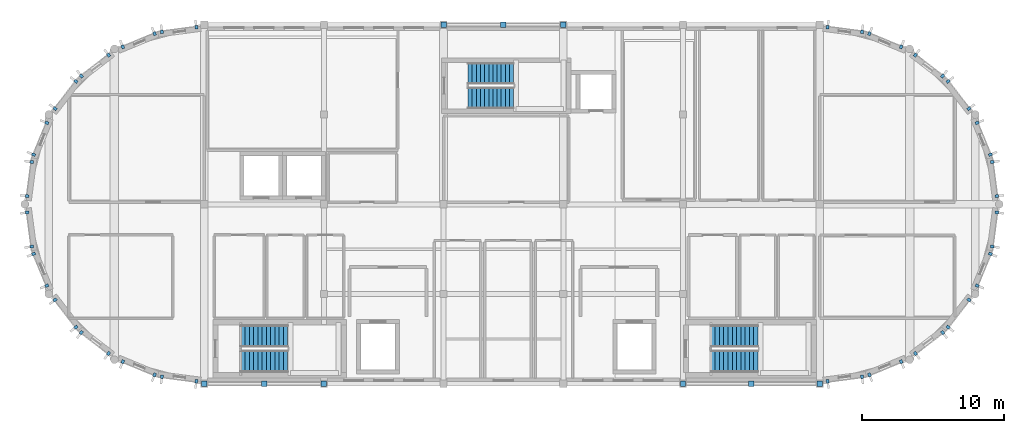
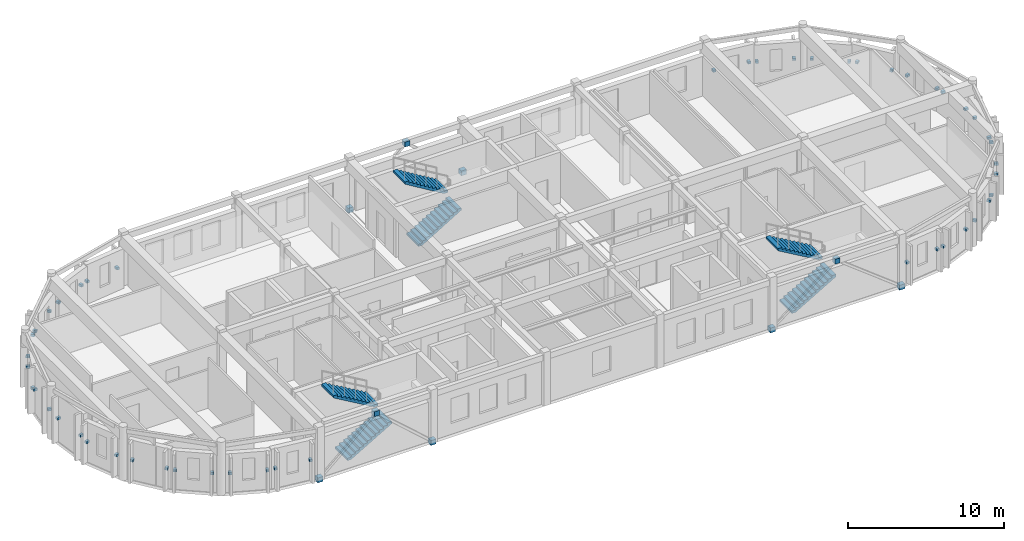
# One storey, part 7 of 11: 57 discrete accessories, 6 stair flights, 3 elements without a shape of their own.
"""IFC4 building model written with IfcOpenShell, lengths in metres."""

import ifcopenshell
import ifcopenshell.guid

model = None  # the IFC model being written
_history = None  # IfcOwnerHistory: only IFC2X3 demands one
_inside = {}  # id of a spatial element -> (the spatial element, [elements in it])
_under = {}  # id of a project, library or spatial element -> (it, [spatial elements below it])
_declared = {}  # id of a project -> (the project, [libraries it declares])
_typed = {}  # id of a type object -> (the type object, [elements of that type])
_made_of = {}  # id of a material, layer set ... -> (it, [elements and type objects made of it])


def new_model(schema):
    """Start an empty IFC model of exactly this schema.

    Asked for "IFC4X3", IfcOpenShell would pick the latest addendum, in which some entities
    have other attributes; the version numbers below select the first issue.
    IFC2X3 requires an IfcOwnerHistory on every rooted entity: one is made here for all.
    """
    global model, _history
    if schema == "IFC4X3":
        model = ifcopenshell.file(schema_version=(4, 3, 0, 0))
    else:
        model = ifcopenshell.file(schema=schema)
    _inside.clear()
    _under.clear()
    _declared.clear()
    _typed.clear()
    _made_of.clear()
    _history = None
    if model.schema == "IFC2X3":
        org = make("IfcOrganization", Name="unknown")
        user = make(
            "IfcPersonAndOrganization",
            ThePerson=make("IfcPerson", FamilyName="unknown"),
            TheOrganization=org,
        )
        app = make(
            "IfcApplication",
            ApplicationDeveloper=org,
            Version="unknown",
            ApplicationFullName="unknown",
            ApplicationIdentifier="unknown",
        )
        _history = make(
            "IfcOwnerHistory",
            OwningUser=user,
            OwningApplication=app,
            ChangeAction="ADDED",
            CreationDate=0,
        )
    return model


def make(cls, **values):
    """One entity of the class cls with the attributes given. An attribute that is None is left unset."""
    return model.create_entity(
        cls, **{name: value for name, value in values.items() if value is not None}
    )


def rooted(cls, **values):
    """An entity with a GlobalId (a new one), such as an element, a storey or a relation."""
    return make(cls, GlobalId=ifcopenshell.guid.new(), OwnerHistory=_history, **values)


def si_unit(unit_type, name, prefix=None):
    """IfcSIUnit, for example si_unit("LENGTHUNIT", "METRE", prefix="MILLI")."""
    return make("IfcSIUnit", UnitType=unit_type, Prefix=prefix, Name=name)


def assignment(units):
    """IfcUnitAssignment: the units of a project."""
    return None if units is None else make("IfcUnitAssignment", Units=units)


def point(xyz):
    """IfcCartesianPoint."""
    return None if xyz is None else make("IfcCartesianPoint", Coordinates=xyz)


def direction(xyz):
    """IfcDirection."""
    return None if xyz is None else make("IfcDirection", DirectionRatios=xyz)


def frame(location, z_axis=None, x_axis=None):
    """IfcAxis2Placement3D, a coordinate frame: its origin and axes. An axis left out is left unset."""
    return make(
        "IfcAxis2Placement3D",
        Location=point(location),
        Axis=direction(z_axis),
        RefDirection=direction(x_axis),
    )


def frame_2d(location, x_axis=None):
    """IfcAxis2Placement2D, a coordinate frame in the plane: its origin and x axis."""
    return make(
        "IfcAxis2Placement2D", Location=point(location), RefDirection=direction(x_axis)
    )


def origin():
    """The frame at (0, 0, 0) with its axes left unset."""
    return frame((0.0, 0.0, 0.0))


def origin_2d():
    """The frame at (0, 0) in the plane with its x axis left unset."""
    return frame_2d((0.0, 0.0))


def place(relative_to, where):
    """IfcLocalPlacement: puts the frame where relative to a parent placement (None: the world)."""
    return make(
        "IfcLocalPlacement", PlacementRelTo=relative_to, RelativePlacement=where
    )


def context(
    kind, dimensions, precision=None, world=None, true_north=None, identifier=None
):
    """IfcGeometricRepresentationContext, for example the 3D "Model" context."""
    return make(
        "IfcGeometricRepresentationContext",
        ContextIdentifier=identifier,
        ContextType=kind,
        CoordinateSpaceDimension=dimensions,
        Precision=precision,
        WorldCoordinateSystem=world,
        TrueNorth=true_north,
    )


def subcontext(parent, identifier, kind, view, scale=None):
    """IfcGeometricRepresentationSubContext, for example "Body" below "Model"."""
    return make(
        "IfcGeometricRepresentationSubContext",
        ContextIdentifier=identifier,
        ContextType=kind,
        ParentContext=parent,
        TargetScale=scale,
        TargetView=view,
    )


def project(units=None, contexts=None):
    """IfcProject with its units and contexts."""
    return rooted(
        "IfcProject",
        Name="project",
        RepresentationContexts=contexts,
        UnitsInContext=assignment(units),
    )


def spatial(cls, under=None, at=None, **own):
    """A site, building, storey or space (cls), placed at a placement, below another one or the project."""
    s = rooted(cls, ObjectPlacement=at, **own)
    if under is not None:
        _under.setdefault(under.id(), (under, []))[1].append(s)
    return s


def polyline(points):
    """IfcPolyline through the points."""
    return make("IfcPolyline", Points=[point(p) for p in points])


def profile(cls, at=None, kind="AREA", **sizes):
    """A parametric profile (cls). Its sizes go by their IFC names, for example OverallWidth=200.0."""
    return make(cls, ProfileType=kind, Position=at, **sizes)


def rectangle(**sizes):
    """IfcRectangleProfileDef."""
    return profile("IfcRectangleProfileDef", **sizes)


def outline(outer, holes=None, kind="AREA"):
    """IfcArbitraryClosedProfileDef: a profile drawn as a closed curve; with holes, ...WithVoids."""
    if holes is None:
        return make("IfcArbitraryClosedProfileDef", ProfileType=kind, OuterCurve=outer)
    return make(
        "IfcArbitraryProfileDefWithVoids",
        ProfileType=kind,
        OuterCurve=outer,
        InnerCurves=holes,
    )


def extrude(swept, where, along, depth):
    """IfcExtrudedAreaSolid: the profile swept, set in the frame where, extruded along a direction by depth."""
    return make(
        "IfcExtrudedAreaSolid",
        SweptArea=swept,
        Position=where,
        ExtrudedDirection=direction(along),
        Depth=depth,
    )


def shape(context_of_items, identifier, shape_type, items):
    """IfcShapeRepresentation: the items that make up one representation, for example the "Body"."""
    return make(
        "IfcShapeRepresentation",
        ContextOfItems=context_of_items,
        RepresentationIdentifier=identifier,
        RepresentationType=shape_type,
        Items=items,
    )


def material(Name=None, Category=None):
    """IfcMaterial."""
    return make("IfcMaterial", Name=Name, Category=Category)


def made_of(thing, what):
    """Note that an element or type object is made of a material, layer set ...; save() writes the relation."""
    if what is not None:
        _made_of.setdefault(what.id(), (what, []))[1].append(thing)
    return thing


def type_object(cls, material=None, **own):
    """A type object (cls), such as IfcWallType, which elements share."""
    return made_of(rooted(cls, **own), material)


def element(
    cls,
    number,
    at=None,
    inside=None,
    cuts=None,
    type_object=None,
    material=None,
    context=None,
    identifier="Body",
    shape_type=None,
    held_by="IfcProductDefinitionShape",
    body=None,
    shapes=None,
    **own,
):
    """One element of the class cls, such as IfcWall. Its Tag is "e" and its number.

    at: its placement. inside: the storey or other place that contains it. cuts: it is an
    opening in that element (IfcRelVoidsElement). A single representation is given by context,
    identifier, shape_type and body (its items); several are given by shapes. held_by: the class
    of the entity that holds the representations. save() writes the other relations.
    """
    e = rooted(cls, Tag="e%d" % number, ObjectPlacement=at, **own)
    if body is not None:
        shapes = [shape(context, identifier, shape_type, body)]
    if shapes is not None:
        e.Representation = make(held_by, Representations=shapes)
    if inside is not None:
        _inside.setdefault(inside.id(), (inside, []))[1].append(e)
    if cuts is not None:
        rooted(
            "IfcRelVoidsElement", RelatingBuildingElement=cuts, RelatedOpeningElement=e
        )
    if type_object is not None:
        _typed.setdefault(type_object.id(), (type_object, []))[1].append(e)
    return made_of(e, material)


def aggregate(whole, parts):
    """IfcRelAggregates: a whole, such as a stair, and the parts it consists of."""
    return rooted("IfcRelAggregates", RelatingObject=whole, RelatedObjects=parts)


def save(model, path):
    """Write the relations noted so far, then the file.

    IfcRelAggregates (storeys below a building ...), IfcRelContainedInSpatialStructure (elements
    in a storey), IfcRelDefinesByType, IfcRelAssociatesMaterial and IfcRelDeclares: one each for
    every whole, place, type object, material and project.
    """
    for whole, parts in _under.values():
        aggregate(whole, parts)
    for where, things in _inside.values():
        rooted(
            "IfcRelContainedInSpatialStructure",
            RelatedElements=things,
            RelatingStructure=where,
        )
    for kind, things in _typed.values():
        rooted("IfcRelDefinesByType", RelatedObjects=things, RelatingType=kind)
    for what, things in _made_of.values():
        rooted("IfcRelAssociatesMaterial", RelatedObjects=things, RelatingMaterial=what)
    for by, libraries in _declared.values():
        rooted("IfcRelDeclares", RelatingContext=by, RelatedDefinitions=libraries)
    model.write(path)


model = new_model("IFC4")

# Units and contexts
model_context = context("Model", 3, precision=1e-05, world=origin(), true_north=direction((0.0, 1.0)))
body_context = subcontext(model_context, "Body", "Model", "MODEL_VIEW")
ifc_project = project(units=[si_unit("LENGTHUNIT", "METRE"), si_unit("AREAUNIT", "SQUARE_METRE"), si_unit("VOLUMEUNIT", "CUBIC_METRE"), si_unit("PLANEANGLEUNIT", "RADIAN"), si_unit("MASSUNIT", "GRAM", prefix="KILO")], contexts=[model_context])

# Site, building, storey
site_placement = place(None, origin())
site = spatial("IfcSite", under=ifc_project, at=site_placement, CompositionType="ELEMENT")
building_placement = place(site_placement, origin())
building = spatial("IfcBuilding", under=site, at=building_placement, Name="Tarnavel Promenade Courthouse", CompositionType="ELEMENT")
storey_placement = place(building_placement, frame((0.0, 0.0, 31.199951171875)))
storey = spatial("IfcBuildingStorey", under=building, at=storey_placement, Name="L08", CompositionType="ELEMENT", Elevation=31.199951171875)

# Stair, stair flights
ifc_material_1 = material(Name="Concrete C35/45", Category="concrete")
stair_type_1 = type_object("IfcStairType", Name="Concrete C35/45 Half-Turn Stair STR-03 (1560W-300G-24R)", PredefinedType="HALF_TURN_STAIR", material=ifc_material_1)
stair_1_placement = place(storey_placement, origin())
stair_1 = element("IfcStair", 1, at=stair_1_placement, inside=storey, type_object=stair_type_1, Name="L08 West Bar Firefighting Exit Stair", PredefinedType="HALF_TURN_STAIR")
stair_flight_type_1 = type_object("IfcStairFlightType", Name="Concrete C35/45 Stair Flight STF-03 (1560W-300G-24R)", PredefinedType="STRAIGHT", material=ifc_material_1)
stair_flight_1_placement = place(storey_placement, frame((61.360107421875, 80.780029296875, 0.0), z_axis=(0.0, 0.0, 1.0), x_axis=(1.0, 0.0, 0.0)))
stair_flight_1 = element("IfcStairFlight", 2, at=stair_flight_1_placement, type_object=stair_flight_type_1, Name="ST-01 flight 1", NumberOfRisers=12, NumberOfTreads=11, PredefinedType="STRAIGHT", RiserHeight=0.175, TreadLength=0.3, context=body_context, shape_type="SweptSolid", body=[
    extrude(outline(polyline([(0.0, 0.0), (0.0, 0.175048828125), (0.300048828125, 0.175048828125), (0.300048828125, 0.35009765625), (0.60009765625, 0.35009765625), (0.60009765625, 0.52490234375), (0.89990234375, 0.52490234375), (0.89990234375, 0.699951171875), (1.199951171875, 0.699951171875), (1.199951171875, 0.875), (1.5, 0.875), (1.5, 1.050048828125), (1.800048828125, 1.050048828125), (1.800048828125, 1.22509765625), (2.10009765625, 1.22509765625), (2.10009765625, 1.39990234375), (2.39990234375, 1.39990234375), (2.39990234375, 1.574951171875), (2.699951171875, 1.574951171875), (2.699951171875, 1.75), (3.0, 1.75), (3.0, 1.925048828125), (3.300048828125, 1.925048828125), (3.300048828125, 2.10009765625), (3.300048828125, 1.75146484375), (0.297607421875, 0.0), (0.0, 0.0)])), frame((0.0, 0.780029296875, 0.0), z_axis=(0.0, -1.0, 0.0), x_axis=(1.0, 0.0, 0.0)), (0.0, 0.0, 1.0), 1.56005859375),
])
stair_flight_2_placement = place(storey_placement, frame((64.659912109375, 82.5400390625, 2.10009765625), z_axis=(0.0, 0.0, 1.0), x_axis=(-1.0, 0.0, 0.0)))
stair_flight_2 = element("IfcStairFlight", 3, at=stair_flight_2_placement, type_object=stair_flight_type_1, Name="ST-01 flight 2", NumberOfRisers=12, NumberOfTreads=11, PredefinedType="STRAIGHT", RiserHeight=0.175, TreadLength=0.3, context=body_context, shape_type="SweptSolid", body=[
    extrude(outline(polyline([(0.0, 0.0), (0.0, 0.175048828125), (0.300048828125, 0.175048828125), (0.300048828125, 0.35009765625), (0.60009765625, 0.35009765625), (0.60009765625, 0.52490234375), (0.89990234375, 0.52490234375), (0.89990234375, 0.699951171875), (1.199951171875, 0.699951171875), (1.199951171875, 0.875), (1.5, 0.875), (1.5, 1.050048828125), (1.800048828125, 1.050048828125), (1.800048828125, 1.22509765625), (2.10009765625, 1.22509765625), (2.10009765625, 1.39990234375), (2.39990234375, 1.39990234375), (2.39990234375, 1.574951171875), (2.699951171875, 1.574951171875), (2.699951171875, 1.75), (3.0, 1.75), (3.0, 1.925048828125), (3.300048828125, 1.925048828125), (3.300048828125, 2.10009765625), (3.300048828125, 1.75146484375), (0.297607421875, 0.0), (0.0, 0.0)])), frame((0.0, 0.780029296875, 0.0), z_axis=(0.0, -1.0, 0.0), x_axis=(1.0, 0.0, 0.0)), (0.0, 0.0, 1.0), 1.56005859375),
])
aggregate(stair_1, [stair_flight_1, stair_flight_2])

stair_2_placement = place(storey_placement, origin())
stair_2 = element("IfcStair", 4, at=stair_2_placement, inside=storey, type_object=stair_type_1, Name="L08 East Bar Firefighting Exit Stair", PredefinedType="HALF_TURN_STAIR")
stair_flight_3_placement = place(storey_placement, frame((94.360107421875, 80.780029296875, 0.0), z_axis=(0.0, 0.0, 1.0), x_axis=(1.0, 0.0, 0.0)))
stair_flight_3 = element("IfcStairFlight", 5, at=stair_flight_3_placement, type_object=stair_flight_type_1, Name="ST-02 flight 1", NumberOfRisers=12, NumberOfTreads=11, PredefinedType="STRAIGHT", RiserHeight=0.175, TreadLength=0.3, context=body_context, shape_type="SweptSolid", body=[
    extrude(outline(polyline([(0.0, 0.0), (0.0, 0.175048828125), (0.300048828125, 0.175048828125), (0.300048828125, 0.35009765625), (0.60009765625, 0.35009765625), (0.60009765625, 0.52490234375), (0.89990234375, 0.52490234375), (0.89990234375, 0.699951171875), (1.199951171875, 0.699951171875), (1.199951171875, 0.875), (1.5, 0.875), (1.5, 1.050048828125), (1.800048828125, 1.050048828125), (1.800048828125, 1.22509765625), (2.10009765625, 1.22509765625), (2.10009765625, 1.39990234375), (2.39990234375, 1.39990234375), (2.39990234375, 1.574951171875), (2.699951171875, 1.574951171875), (2.699951171875, 1.75), (3.0, 1.75), (3.0, 1.925048828125), (3.300048828125, 1.925048828125), (3.300048828125, 2.10009765625), (3.300048828125, 1.75146484375), (0.297607421875, 0.0), (0.0, 0.0)])), frame((0.0, 0.780029296875, 0.0), z_axis=(0.0, -1.0, 0.0), x_axis=(1.0, 0.0, 0.0)), (0.0, 0.0, 1.0), 1.56005859375),
])
stair_flight_4_placement = place(storey_placement, frame((97.659912109375, 82.5400390625, 2.10009765625), z_axis=(0.0, 0.0, 1.0), x_axis=(-1.0, 0.0, 0.0)))
stair_flight_4 = element("IfcStairFlight", 6, at=stair_flight_4_placement, type_object=stair_flight_type_1, Name="ST-02 flight 2", NumberOfRisers=12, NumberOfTreads=11, PredefinedType="STRAIGHT", RiserHeight=0.175, TreadLength=0.3, context=body_context, shape_type="SweptSolid", body=[
    extrude(outline(polyline([(0.0, 0.0), (0.0, 0.175048828125), (0.300048828125, 0.175048828125), (0.300048828125, 0.35009765625), (0.60009765625, 0.35009765625), (0.60009765625, 0.52490234375), (0.89990234375, 0.52490234375), (0.89990234375, 0.699951171875), (1.199951171875, 0.699951171875), (1.199951171875, 0.875), (1.5, 0.875), (1.5, 1.050048828125), (1.800048828125, 1.050048828125), (1.800048828125, 1.22509765625), (2.10009765625, 1.22509765625), (2.10009765625, 1.39990234375), (2.39990234375, 1.39990234375), (2.39990234375, 1.574951171875), (2.699951171875, 1.574951171875), (2.699951171875, 1.75), (3.0, 1.75), (3.0, 1.925048828125), (3.300048828125, 1.925048828125), (3.300048828125, 2.10009765625), (3.300048828125, 1.75146484375), (0.297607421875, 0.0), (0.0, 0.0)])), frame((0.0, 0.780029296875, 0.0), z_axis=(0.0, -1.0, 0.0), x_axis=(1.0, 0.0, 0.0)), (0.0, 0.0, 1.0), 1.56005859375),
])
aggregate(stair_2, [stair_flight_3, stair_flight_4])

stair_type_2 = type_object("IfcStairType", Name="Concrete C35/45 Half-Turn Stair STR-06 (1520W-290G-24R)", PredefinedType="HALF_TURN_STAIR", material=ifc_material_1)
stair_3_placement = place(storey_placement, origin())
stair_3 = element("IfcStair", 7, at=stair_3_placement, inside=storey, type_object=stair_type_2, Name="L08 Central Judicial Chambers Exit Stair", PredefinedType="HALF_TURN_STAIR")
stair_flight_type_2 = type_object("IfcStairFlightType", Name="Concrete C35/45 Stair Flight STF-06 (1520W-290G-24R)", PredefinedType="STRAIGHT", material=ifc_material_1)
stair_flight_5_placement = place(storey_placement, frame((77.320068359375, 99.260009765625, 0.0), z_axis=(0.0, 0.0, 1.0), x_axis=(1.0, 0.0, 0.0)))
stair_flight_5 = element("IfcStairFlight", 8, at=stair_flight_5_placement, type_object=stair_flight_type_2, Name="ST-03 flight 1", NumberOfRisers=12, NumberOfTreads=11, PredefinedType="STRAIGHT", RiserHeight=0.175, TreadLength=0.29, context=body_context, shape_type="SweptSolid", body=[
    extrude(outline(polyline([(0.0, 0.0), (0.0, 0.175048828125), (0.2900390625, 0.175048828125), (0.2900390625, 0.35009765625), (0.580078125, 0.35009765625), (0.580078125, 0.52490234375), (0.8701171875, 0.52490234375), (0.8701171875, 0.699951171875), (1.159912109375, 0.699951171875), (1.159912109375, 0.875), (1.449951171875, 0.875), (1.449951171875, 1.050048828125), (1.739990234375, 1.050048828125), (1.739990234375, 1.22509765625), (2.030029296875, 1.22509765625), (2.030029296875, 1.39990234375), (2.320068359375, 1.39990234375), (2.320068359375, 1.574951171875), (2.610107421875, 1.574951171875), (2.610107421875, 1.75), (2.89990234375, 1.75), (2.89990234375, 1.925048828125), (3.18994140625, 1.925048828125), (3.18994140625, 2.10009765625), (3.18994140625, 1.75), (0.2900390625, 0.0), (0.0, 0.0)])), frame((0.0, 0.760009765625, 0.0), z_axis=(0.0, -1.0, 0.0), x_axis=(1.0, 0.0, 0.0)), (0.0, 0.0, 1.0), 1.52001953125),
])
stair_flight_6_placement = place(storey_placement, frame((80.510009765625, 100.97998046875, 2.10009765625), z_axis=(0.0, 0.0, 1.0), x_axis=(-1.0, 0.0, 0.0)))
stair_flight_6 = element("IfcStairFlight", 9, at=stair_flight_6_placement, type_object=stair_flight_type_2, Name="ST-03 flight 2", NumberOfRisers=12, NumberOfTreads=11, PredefinedType="STRAIGHT", RiserHeight=0.175, TreadLength=0.29, context=body_context, shape_type="SweptSolid", body=[
    extrude(outline(polyline([(0.0, 0.0), (0.0, 0.175048828125), (0.2900390625, 0.175048828125), (0.2900390625, 0.35009765625), (0.580078125, 0.35009765625), (0.580078125, 0.52490234375), (0.8701171875, 0.52490234375), (0.8701171875, 0.699951171875), (1.159912109375, 0.699951171875), (1.159912109375, 0.875), (1.449951171875, 0.875), (1.449951171875, 1.050048828125), (1.739990234375, 1.050048828125), (1.739990234375, 1.22509765625), (2.030029296875, 1.22509765625), (2.030029296875, 1.39990234375), (2.320068359375, 1.39990234375), (2.320068359375, 1.574951171875), (2.610107421875, 1.574951171875), (2.610107421875, 1.75), (2.89990234375, 1.75), (2.89990234375, 1.925048828125), (3.18994140625, 1.925048828125), (3.18994140625, 2.10009765625), (3.18994140625, 1.75), (0.2900390625, 0.0), (0.0, 0.0)])), frame((0.0, 0.760009765625, 0.0), z_axis=(0.0, -1.0, 0.0), x_axis=(1.0, 0.0, 0.0)), (0.0, 0.0, 1.0), 1.52001953125),
])
aggregate(stair_3, [stair_flight_5, stair_flight_6])

# Discrete accessories
ifc_material_2 = material(Name="Steel S355J2", Category="steel")
discrete_accessory_type_1 = type_object("IfcDiscreteAccessoryType", Name="Steel S355J2 Facade Pier Anchor Bracket", PredefinedType="BRACKET", material=ifc_material_2)
for number, where, z_axis, x_axis, name in (
    (10, (58.247802734375, 104.2265625, 1.46484375), (0.0, 0.0, 1.0), (-0.991444861374, -0.13052619222, 0.0), "L08 Drum Pier Bracket 0271"),
    (11, (55.82958984375, 103.908203125, 1.46484375), (0.0, 0.0, 1.0), (-0.991444861374, -0.13052619222, 0.0), "L08 Drum Pier Bracket 0272"),
    (12, (55.318603515625, 103.77099609375, 1.4150390625), (0.0, 0.0, 1.0), (-0.923879532511, -0.382683432365, 0.0), "L08 Drum Pier Bracket 0273"),
    (13, (53.087890625, 102.84716796875, 1.4150390625), (0.0, 0.0, 1.0), (-0.923879532511, -0.382683432365, 0.0), "L08 Drum Pier Bracket 0274"),
    (14, (52.0888671875, 102.2705078125, 1.4150390625), (0.0, 0.0, 1.0), (-0.793353340291, -0.608761429009, 0.0), "L08 Drum Pier Bracket 0275"),
    (15, (50.173583984375, 100.80078125, 1.4150390625), (0.0, 0.0, 1.0), (-0.793353340291, -0.608761429009, 0.0), "L08 Drum Pier Bracket 0276"),
    (16, (49.79931640625, 100.426513671875, 1.46484375), (0.0, 0.0, 1.0), (-0.608761429009, -0.793353340291, 0.0), "L08 Drum Pier Bracket 0277"),
    (17, (48.32958984375, 98.51123046875, 1.46484375), (0.0, 0.0, 1.0), (-0.608761429009, -0.793353340291, 0.0), "L08 Drum Pier Bracket 0278"),
    (18, (47.752685546875, 97.511962890625, 1.46484375), (0.0, 0.0, 1.0), (-0.382683432365, -0.923879532511, 0.0), "L08 Drum Pier Bracket 0279"),
    (19, (46.828857421875, 95.281494140625, 1.46484375), (0.0, 0.0, 1.0), (-0.382683432365, -0.923879532511, 0.0), "L08 Drum Pier Bracket 0280"),
    (20, (46.69189453125, 94.7705078125, 1.71484375), (0.0, 0.0, 1.0), (-0.13052619222, -0.991444861374, 0.0), "L08 Drum Pier Bracket 0281"),
    (21, (46.376708984375, 92.376953125, 1.71484375), (0.0, 0.0, 1.0), (-0.13052619222, -0.991444861374, 0.0), "L08 Drum Pier Bracket 0282"),
    (22, (46.376708984375, 91.22314453125, 1.71484375), (0.0, 0.0, 1.0), (0.13052619222, -0.991444861374, 0.0), "L08 Drum Pier Bracket 0283"),
    (23, (46.69189453125, 88.82958984375, 1.71484375), (0.0, 0.0, 1.0), (0.13052619222, -0.991444861374, 0.0), "L08 Drum Pier Bracket 0284"),
    (24, (46.828857421875, 88.318603515625, 1.46484375), (0.0, 0.0, 1.0), (0.382683432365, -0.923879532511, 0.0), "L08 Drum Pier Bracket 0285"),
    (25, (47.752685546875, 86.087890625, 1.46484375), (0.0, 0.0, 1.0), (0.382683432365, -0.923879532511, 0.0), "L08 Drum Pier Bracket 0286"),
    (26, (48.32958984375, 85.0888671875, 1.46484375), (0.0, 0.0, 1.0), (0.608761429009, -0.793353340291, 0.0), "L08 Drum Pier Bracket 0287"),
    (27, (49.79931640625, 83.173583984375, 1.46484375), (0.0, 0.0, 1.0), (0.608761429009, -0.793353340291, 0.0), "L08 Drum Pier Bracket 0288"),
    (28, (50.173583984375, 82.79931640625, 1.4150390625), (0.0, 0.0, 1.0), (0.793353340291, -0.608761429009, 0.0), "L08 Drum Pier Bracket 0289"),
    (29, (52.0888671875, 81.32958984375, 1.4150390625), (0.0, 0.0, 1.0), (0.793353340291, -0.608761429009, 0.0), "L08 Drum Pier Bracket 0290"),
    (30, (53.087890625, 80.752685546875, 1.4150390625), (0.0, 0.0, 1.0), (0.923879532511, -0.382683432365, 0.0), "L08 Drum Pier Bracket 0291"),
    (31, (55.318603515625, 79.828857421875, 1.4150390625), (0.0, 0.0, 1.0), (0.923879532511, -0.382683432365, 0.0), "L08 Drum Pier Bracket 0292"),
    (32, (55.82958984375, 79.69189453125, 1.46484375), (0.0, 0.0, 1.0), (0.991444861374, -0.13052619222, 0.0), "L08 Drum Pier Bracket 0293"),
    (33, (58.247802734375, 79.37353515625, 1.46484375), (0.0, 0.0, 1.0), (0.991444861374, -0.13052619222, 0.0), "L08 Drum Pier Bracket 0294"),
    (34, (102.552001953125, 79.37353515625, 1.46484375), (0.0, 0.0, 1.0), (0.991444861374, 0.13052619222, 0.0), "L08 Drum Pier Bracket 0295"),
    (35, (104.970458984375, 79.69189453125, 1.46484375), (0.0, 0.0, 1.0), (0.991444861374, 0.13052619222, 0.0), "L08 Drum Pier Bracket 0296"),
    (36, (105.4814453125, 79.828857421875, 1.4150390625), (0.0, 0.0, 1.0), (0.923879532511, 0.382683432365, 0.0), "L08 Drum Pier Bracket 0297"),
    (37, (107.7119140625, 80.752685546875, 1.4150390625), (0.0, 0.0, 1.0), (0.923879532511, 0.382683432365, 0.0), "L08 Drum Pier Bracket 0298"),
    (38, (108.711181640625, 81.32958984375, 1.4150390625), (0.0, 0.0, 1.0), (0.793353340291, 0.608761429009, 0.0), "L08 Drum Pier Bracket 0299"),
    (39, (110.62646484375, 82.79931640625, 1.4150390625), (0.0, 0.0, 1.0), (0.793353340291, 0.608761429009, 0.0), "L08 Drum Pier Bracket 0300"),
    (40, (111.000732421875, 83.173583984375, 1.46484375), (0.0, 0.0, 1.0), (0.608761429009, 0.793353340291, 0.0), "L08 Drum Pier Bracket 0301"),
    (41, (112.470458984375, 85.0888671875, 1.46484375), (0.0, 0.0, 1.0), (0.608761429009, 0.793353340291, 0.0), "L08 Drum Pier Bracket 0302"),
    (42, (113.047119140625, 86.087890625, 1.46484375), (0.0, 0.0, 1.0), (0.382683432365, 0.923879532511, 0.0), "L08 Drum Pier Bracket 0303"),
    (43, (113.97119140625, 88.318603515625, 1.46484375), (0.0, 0.0, 1.0), (0.382683432365, 0.923879532511, 0.0), "L08 Drum Pier Bracket 0304"),
    (44, (114.108154296875, 88.82958984375, 1.46484375), (0.0, 0.0, 1.0), (0.13052619222, 0.991444861374, 0.0), "L08 Drum Pier Bracket 0305"),
    (45, (114.423095703125, 91.22314453125, 1.46484375), (0.0, 0.0, 1.0), (0.13052619222, 0.991444861374, 0.0), "L08 Drum Pier Bracket 0306"),
    (46, (114.423095703125, 92.376953125, 1.46484375), (0.0, 0.0, 1.0), (-0.13052619222, 0.991444861374, 0.0), "L08 Drum Pier Bracket 0307"),
    (47, (114.108154296875, 94.7705078125, 1.46484375), (0.0, 0.0, 1.0), (-0.13052619222, 0.991444861374, 0.0), "L08 Drum Pier Bracket 0308"),
    (48, (113.97119140625, 95.281494140625, 1.46484375), (0.0, 0.0, 1.0), (-0.382683432365, 0.923879532511, 0.0), "L08 Drum Pier Bracket 0309"),
    (49, (113.047119140625, 97.511962890625, 1.46484375), (0.0, 0.0, 1.0), (-0.382683432365, 0.923879532511, 0.0), "L08 Drum Pier Bracket 0310"),
    (50, (112.470458984375, 98.51123046875, 1.46484375), (0.0, 0.0, 1.0), (-0.608761429009, 0.793353340291, 0.0), "L08 Drum Pier Bracket 0311"),
    (51, (111.000732421875, 100.426513671875, 1.46484375), (0.0, 0.0, 1.0), (-0.608761429009, 0.793353340291, 0.0), "L08 Drum Pier Bracket 0312"),
    (52, (110.62646484375, 100.80078125, 1.4150390625), (0.0, 0.0, 1.0), (-0.793353340291, 0.608761429009, 0.0), "L08 Drum Pier Bracket 0313"),
    (53, (108.711181640625, 102.2705078125, 1.4150390625), (0.0, 0.0, 1.0), (-0.793353340291, 0.608761429009, 0.0), "L08 Drum Pier Bracket 0314"),
    (54, (107.7119140625, 102.84716796875, 1.4150390625), (0.0, 0.0, 1.0), (-0.923879532511, 0.382683432365, 0.0), "L08 Drum Pier Bracket 0315"),
    (55, (105.4814453125, 103.77099609375, 1.4150390625), (0.0, 0.0, 1.0), (-0.923879532511, 0.382683432365, 0.0), "L08 Drum Pier Bracket 0316"),
    (56, (104.970458984375, 103.908203125, 1.46484375), (0.0, 0.0, 1.0), (-0.991444861374, 0.13052619222, 0.0), "L08 Drum Pier Bracket 0317"),
    (57, (102.552001953125, 104.2265625, 1.46484375), (0.0, 0.0, 1.0), (-0.991444861374, 0.13052619222, 0.0), "L08 Drum Pier Bracket 0318"),
):
    element("IfcDiscreteAccessory", number, at=place(storey_placement, frame(where, z_axis=z_axis, x_axis=x_axis)), inside=storey, type_object=discrete_accessory_type_1, Name=name, PredefinedType="BRACKET", context=body_context, shape_type="SweptSolid", body=[
        extrude(rectangle(XDim=0.199951171875, YDim=0.260009765625, at=origin_2d()), origin(), (0.0, 0.0, 1.0), 0.179931640625),
    ])
discrete_accessory_type_2 = type_object("IfcDiscreteAccessoryType", Name="Steel S355J2 Structural Connection Bracket", PredefinedType="BRACKET", material=ifc_material_2)
for number, where, z_axis, x_axis, name in (
    (58, (58.800048828125, 79.199951171875, -0.18994140625), (0.0, 0.0, 1.0), (1.0, 0.0, 0.0), "L08 V5 Chevron Brace Gusset Node 009-L"),
    (59, (63.0, 79.199951171875, 3.53515625), (0.0, 0.0, 1.0), (1.0, 0.0, 0.0), "L08 V5 Chevron Brace Gusset Node 009-M"),
    (60, (67.199951171875, 79.199951171875, -0.18994140625), (0.0, 0.0, 1.0), (1.0, 0.0, 0.0), "L08 V5 Chevron Brace Gusset Node 009-R"),
    (61, (92.39990234375, 79.199951171875, -0.18994140625), (0.0, 0.0, 1.0), (1.0, 0.0, 0.0), "L08 V5 Chevron Brace Gusset Node 019-L"),
    (62, (97.199951171875, 79.199951171875, 3.53515625), (0.0, 0.0, 1.0), (1.0, 0.0, 0.0), "L08 V5 Chevron Brace Gusset Node 019-M"),
    (63, (102.0, 79.199951171875, -0.18994140625), (0.0, 0.0, 1.0), (1.0, 0.0, 0.0), "L08 V5 Chevron Brace Gusset Node 019-R"),
    (64, (75.60009765625, 104.39990234375, -0.18994140625), (0.0, 0.0, 1.0), (1.0, 0.0, 0.0), "L08 V5 Chevron Brace Gusset Node 026-L"),
    (65, (79.800048828125, 104.39990234375, 3.53515625), (0.0, 0.0, 1.0), (1.0, 0.0, 0.0), "L08 V5 Chevron Brace Gusset Node 026-M"),
    (66, (84.0, 104.39990234375, -0.18994140625), (0.0, 0.0, 1.0), (1.0, 0.0, 0.0), "L08 V5 Chevron Brace Gusset Node 026-R"),
):
    element("IfcDiscreteAccessory", number, at=place(storey_placement, frame(where, z_axis=z_axis, x_axis=x_axis)), inside=storey, type_object=discrete_accessory_type_2, Name=name, PredefinedType="BRACKET", context=body_context, shape_type="SweptSolid", body=[
        extrude(rectangle(XDim=0.3798828125, YDim=0.360107421875, at=origin_2d()), origin(), (0.0, 0.0, 1.0), 0.3798828125),
    ])

save(model, "model.ifc")
